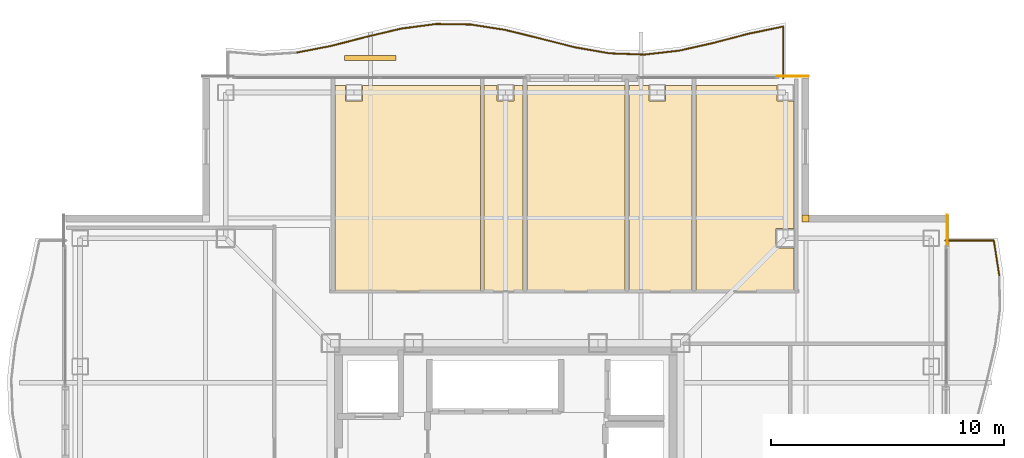
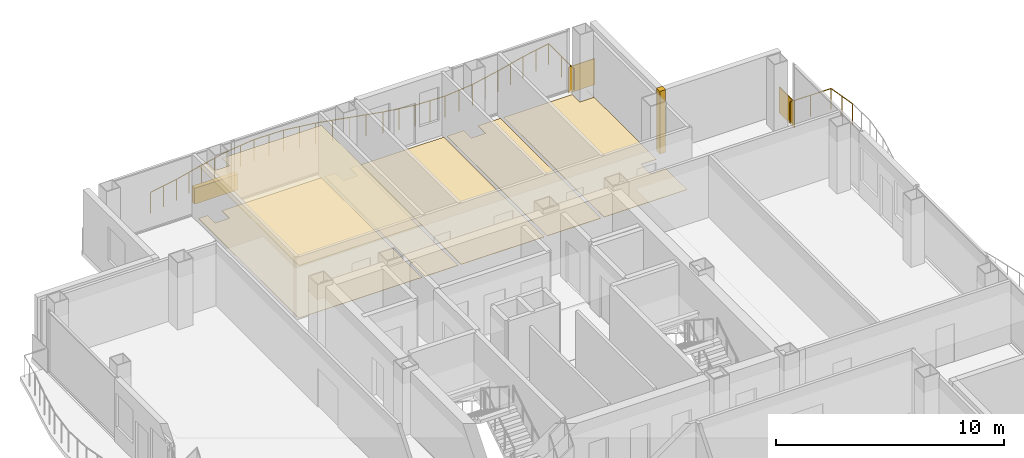
# One storey, part 17 of 17: 17 railings, 9 coverings, 1 shading device.
"""IFC4 building model written with IfcOpenShell, lengths in metres."""

import ifcopenshell
import ifcopenshell.guid

model = None  # the IFC model being written
_history = None  # IfcOwnerHistory: only IFC2X3 demands one
_inside = {}  # id of a spatial element -> (the spatial element, [elements in it])
_under = {}  # id of a project, library or spatial element -> (it, [spatial elements below it])
_declared = {}  # id of a project -> (the project, [libraries it declares])
_typed = {}  # id of a type object -> (the type object, [elements of that type])
_made_of = {}  # id of a material, layer set ... -> (it, [elements and type objects made of it])


def new_model(schema):
    """Start an empty IFC model of exactly this schema.

    Asked for "IFC4X3", IfcOpenShell would pick the latest addendum, in which some entities
    have other attributes; the version numbers below select the first issue.
    IFC2X3 requires an IfcOwnerHistory on every rooted entity: one is made here for all.
    """
    global model, _history
    if schema == "IFC4X3":
        model = ifcopenshell.file(schema_version=(4, 3, 0, 0))
    else:
        model = ifcopenshell.file(schema=schema)
    _inside.clear()
    _under.clear()
    _declared.clear()
    _typed.clear()
    _made_of.clear()
    _history = None
    if model.schema == "IFC2X3":
        org = make("IfcOrganization", Name="unknown")
        user = make(
            "IfcPersonAndOrganization",
            ThePerson=make("IfcPerson", FamilyName="unknown"),
            TheOrganization=org,
        )
        app = make(
            "IfcApplication",
            ApplicationDeveloper=org,
            Version="unknown",
            ApplicationFullName="unknown",
            ApplicationIdentifier="unknown",
        )
        _history = make(
            "IfcOwnerHistory",
            OwningUser=user,
            OwningApplication=app,
            ChangeAction="ADDED",
            CreationDate=0,
        )
    return model


def make(cls, **values):
    """One entity of the class cls with the attributes given. An attribute that is None is left unset."""
    return model.create_entity(
        cls, **{name: value for name, value in values.items() if value is not None}
    )


def rooted(cls, **values):
    """An entity with a GlobalId (a new one), such as an element, a storey or a relation."""
    return make(cls, GlobalId=ifcopenshell.guid.new(), OwnerHistory=_history, **values)


def si_unit(unit_type, name, prefix=None):
    """IfcSIUnit, for example si_unit("LENGTHUNIT", "METRE", prefix="MILLI")."""
    return make("IfcSIUnit", UnitType=unit_type, Prefix=prefix, Name=name)


def assignment(units):
    """IfcUnitAssignment: the units of a project."""
    return None if units is None else make("IfcUnitAssignment", Units=units)


def point(xyz):
    """IfcCartesianPoint."""
    return None if xyz is None else make("IfcCartesianPoint", Coordinates=xyz)


def direction(xyz):
    """IfcDirection."""
    return None if xyz is None else make("IfcDirection", DirectionRatios=xyz)


def frame(location, z_axis=None, x_axis=None):
    """IfcAxis2Placement3D, a coordinate frame: its origin and axes. An axis left out is left unset."""
    return make(
        "IfcAxis2Placement3D",
        Location=point(location),
        Axis=direction(z_axis),
        RefDirection=direction(x_axis),
    )


def frame_2d(location, x_axis=None):
    """IfcAxis2Placement2D, a coordinate frame in the plane: its origin and x axis."""
    return make(
        "IfcAxis2Placement2D", Location=point(location), RefDirection=direction(x_axis)
    )


def origin():
    """The frame at (0, 0, 0) with its axes left unset."""
    return frame((0.0, 0.0, 0.0))


def origin_2d():
    """The frame at (0, 0) in the plane with its x axis left unset."""
    return frame_2d((0.0, 0.0))


def place(relative_to, where):
    """IfcLocalPlacement: puts the frame where relative to a parent placement (None: the world)."""
    return make(
        "IfcLocalPlacement", PlacementRelTo=relative_to, RelativePlacement=where
    )


def context(
    kind, dimensions, precision=None, world=None, true_north=None, identifier=None
):
    """IfcGeometricRepresentationContext, for example the 3D "Model" context."""
    return make(
        "IfcGeometricRepresentationContext",
        ContextIdentifier=identifier,
        ContextType=kind,
        CoordinateSpaceDimension=dimensions,
        Precision=precision,
        WorldCoordinateSystem=world,
        TrueNorth=true_north,
    )


def subcontext(parent, identifier, kind, view, scale=None):
    """IfcGeometricRepresentationSubContext, for example "Body" below "Model"."""
    return make(
        "IfcGeometricRepresentationSubContext",
        ContextIdentifier=identifier,
        ContextType=kind,
        ParentContext=parent,
        TargetScale=scale,
        TargetView=view,
    )


def project(units=None, contexts=None):
    """IfcProject with its units and contexts."""
    return rooted(
        "IfcProject",
        Name="project",
        RepresentationContexts=contexts,
        UnitsInContext=assignment(units),
    )


def spatial(cls, under=None, at=None, **own):
    """A site, building, storey or space (cls), placed at a placement, below another one or the project."""
    s = rooted(cls, ObjectPlacement=at, **own)
    if under is not None:
        _under.setdefault(under.id(), (under, []))[1].append(s)
    return s


def polyline(points):
    """IfcPolyline through the points."""
    return make("IfcPolyline", Points=[point(p) for p in points])


def profile(cls, at=None, kind="AREA", **sizes):
    """A parametric profile (cls). Its sizes go by their IFC names, for example OverallWidth=200.0."""
    return make(cls, ProfileType=kind, Position=at, **sizes)


def rectangle(**sizes):
    """IfcRectangleProfileDef."""
    return profile("IfcRectangleProfileDef", **sizes)


def circle(**sizes):
    """IfcCircleProfileDef."""
    return profile("IfcCircleProfileDef", **sizes)


def outline(outer, holes=None, kind="AREA"):
    """IfcArbitraryClosedProfileDef: a profile drawn as a closed curve; with holes, ...WithVoids."""
    if holes is None:
        return make("IfcArbitraryClosedProfileDef", ProfileType=kind, OuterCurve=outer)
    return make(
        "IfcArbitraryProfileDefWithVoids",
        ProfileType=kind,
        OuterCurve=outer,
        InnerCurves=holes,
    )


def extrude(swept, where, along, depth):
    """IfcExtrudedAreaSolid: the profile swept, set in the frame where, extruded along a direction by depth."""
    return make(
        "IfcExtrudedAreaSolid",
        SweptArea=swept,
        Position=where,
        ExtrudedDirection=direction(along),
        Depth=depth,
    )


def shape(context_of_items, identifier, shape_type, items):
    """IfcShapeRepresentation: the items that make up one representation, for example the "Body"."""
    return make(
        "IfcShapeRepresentation",
        ContextOfItems=context_of_items,
        RepresentationIdentifier=identifier,
        RepresentationType=shape_type,
        Items=items,
    )


def material(Name=None, Category=None):
    """IfcMaterial."""
    return make("IfcMaterial", Name=Name, Category=Category)


def layer(
    of_material, thickness, ventilated=None, Name=None, Category=None, Priority=None
):
    """IfcMaterialLayer: one layer of a wall or slab, of a material (None: an air gap)."""
    return make(
        "IfcMaterialLayer",
        Material=of_material,
        LayerThickness=thickness,
        IsVentilated=ventilated,
        Name=Name,
        Category=Category,
        Priority=Priority,
    )


def layer_set(layers, Name=None):
    """IfcMaterialLayerSet."""
    return make("IfcMaterialLayerSet", MaterialLayers=layers, LayerSetName=Name)


def made_of(thing, what):
    """Note that an element or type object is made of a material, layer set ...; save() writes the relation."""
    if what is not None:
        _made_of.setdefault(what.id(), (what, []))[1].append(thing)
    return thing


def type_object(cls, material=None, **own):
    """A type object (cls), such as IfcWallType, which elements share."""
    return made_of(rooted(cls, **own), material)


def element(
    cls,
    number,
    at=None,
    inside=None,
    cuts=None,
    type_object=None,
    material=None,
    context=None,
    identifier="Body",
    shape_type=None,
    held_by="IfcProductDefinitionShape",
    body=None,
    shapes=None,
    **own,
):
    """One element of the class cls, such as IfcWall. Its Tag is "e" and its number.

    at: its placement. inside: the storey or other place that contains it. cuts: it is an
    opening in that element (IfcRelVoidsElement). A single representation is given by context,
    identifier, shape_type and body (its items); several are given by shapes. held_by: the class
    of the entity that holds the representations. save() writes the other relations.
    """
    e = rooted(cls, Tag="e%d" % number, ObjectPlacement=at, **own)
    if body is not None:
        shapes = [shape(context, identifier, shape_type, body)]
    if shapes is not None:
        e.Representation = make(held_by, Representations=shapes)
    if inside is not None:
        _inside.setdefault(inside.id(), (inside, []))[1].append(e)
    if cuts is not None:
        rooted(
            "IfcRelVoidsElement", RelatingBuildingElement=cuts, RelatedOpeningElement=e
        )
    if type_object is not None:
        _typed.setdefault(type_object.id(), (type_object, []))[1].append(e)
    return made_of(e, material)


def aggregate(whole, parts):
    """IfcRelAggregates: a whole, such as a stair, and the parts it consists of."""
    return rooted("IfcRelAggregates", RelatingObject=whole, RelatedObjects=parts)


def save(model, path):
    """Write the relations noted so far, then the file.

    IfcRelAggregates (storeys below a building ...), IfcRelContainedInSpatialStructure (elements
    in a storey), IfcRelDefinesByType, IfcRelAssociatesMaterial and IfcRelDeclares: one each for
    every whole, place, type object, material and project.
    """
    for whole, parts in _under.values():
        aggregate(whole, parts)
    for where, things in _inside.values():
        rooted(
            "IfcRelContainedInSpatialStructure",
            RelatedElements=things,
            RelatingStructure=where,
        )
    for kind, things in _typed.values():
        rooted("IfcRelDefinesByType", RelatedObjects=things, RelatingType=kind)
    for what, things in _made_of.values():
        rooted("IfcRelAssociatesMaterial", RelatedObjects=things, RelatingMaterial=what)
    for by, libraries in _declared.values():
        rooted("IfcRelDeclares", RelatingContext=by, RelatedDefinitions=libraries)
    model.write(path)


model = new_model("IFC4")

# Units and contexts
model_context = context("Model", 3, precision=1e-05, world=origin(), true_north=direction((0.0, 1.0)))
body_context = subcontext(model_context, "Body", "Model", "MODEL_VIEW")
ifc_project = project(units=[si_unit("LENGTHUNIT", "METRE"), si_unit("AREAUNIT", "SQUARE_METRE"), si_unit("VOLUMEUNIT", "CUBIC_METRE"), si_unit("PLANEANGLEUNIT", "RADIAN"), si_unit("MASSUNIT", "GRAM", prefix="KILO")], contexts=[model_context])

# Site, building, storey
site_placement = place(None, origin())
site = spatial("IfcSite", under=ifc_project, at=site_placement, CompositionType="ELEMENT")
building_placement = place(site_placement, origin())
building = spatial("IfcBuilding", under=site, at=building_placement, Name="Trevonay Congress Spire", CompositionType="ELEMENT")
storey_placement = place(building_placement, frame((0.0, 0.0, 264.800048828125)))
storey = spatial("IfcBuildingStorey", under=building, at=storey_placement, Name="L69", CompositionType="ELEMENT", Elevation=264.800048828125)

# Coverings
ifc_material_1 = material(Name="Acoustic Mineral Fibre Board", Category="gypsum")
ifc_layer_1 = layer(ifc_material_1, 0.02490234375, Name="Acoustic Mineral Fibre Board")
ifc_layer_set_1 = layer_set([ifc_layer_1], Name="Acoustic Mineral Fibre Board")
covering_type_1 = type_object("IfcCoveringType", Name="COV-CEIL-ACOUSTIC", PredefinedType="CEILING", material=ifc_layer_set_1)
covering_1_placement = place(storey_placement, frame((0.0, 0.0, 2.81005859375)))
element("IfcCovering", 1, at=covering_1_placement, inside=storey, type_object=covering_type_1, Name="L69 North Sky Conservatory Lounge acoustic suspended ceiling", PredefinedType="CEILING", context=body_context, shape_type="SweptSolid", body=[
    extrude(outline(polyline([(-1.080078125, 18.550048828125), (-1.080078125, 9.72998046875), (-7.320068359375, 9.72998046875), (-7.320068359375, 18.550048828125), (-6.860107421875, 18.550048828125), (-6.860107421875, 17.889892578125), (-6.139892578125, 17.889892578125), (-6.139892578125, 18.550048828125), (-1.080078125, 18.550048828125)])), origin(), (0.0, 0.0, 1.0), 0.02490234375),
])
ifc_material_2 = material(Name="Polished Granite Floor Tile", Category="masonry")
ifc_layer_2 = layer(ifc_material_2, 0.02001953125, Name="Polished Granite Floor Tile")
ifc_layer_set_2 = layer_set([ifc_layer_2], Name="Polished Granite Floor Tile")
covering_type_2 = type_object("IfcCoveringType", Name="COV-FLOOR-STONE", PredefinedType="FLOORING", material=ifc_layer_set_2)
covering_2_placement = place(storey_placement, origin())
element("IfcCovering", 2, at=covering_2_placement, inside=storey, type_object=covering_type_2, Name="L69 Accessible WC floor finish", PredefinedType="FLOORING", context=body_context, shape_type="SweptSolid", body=[
    extrude(outline(polyline([(0.75, 18.550048828125), (0.75, 9.72998046875), (-0.919921875, 9.72998046875), (-0.919921875, 18.550048828125), (-0.360107421875, 18.550048828125), (-0.360107421875, 17.889892578125), (0.360107421875, 17.889892578125), (0.360107421875, 18.550048828125), (0.75, 18.550048828125)])), origin(), (0.0, 0.0, 1.0), 0.02001953125),
])
covering_3_placement = place(storey_placement, origin())
element("IfcCovering", 3, at=covering_3_placement, inside=storey, type_object=covering_type_2, Name="L69 Floor Supplies and Copy Room floor finish", PredefinedType="FLOORING", context=body_context, shape_type="SweptSolid", body=[
    extrude(outline(polyline([(0.909912109375, 9.72998046875), (5.1201171875, 9.72998046875), (5.1201171875, 18.550048828125), (0.909912109375, 18.550048828125), (0.909912109375, 9.72998046875)])), origin(), (0.0, 0.0, 1.0), 0.02001953125),
])
covering_4_placement = place(storey_placement, origin())
element("IfcCovering", 4, at=covering_4_placement, inside=storey, type_object=covering_type_2, Name="L69 Female Restroom WC floor finish", PredefinedType="FLOORING", context=body_context, shape_type="SweptSolid", body=[
    extrude(outline(polyline([(8.0, 18.550048828125), (8.0, 9.72998046875), (5.280029296875, 9.72998046875), (5.280029296875, 18.550048828125), (6.139892578125, 18.550048828125), (6.139892578125, 17.889892578125), (6.860107421875, 17.889892578125), (6.860107421875, 18.550048828125), (8.0, 18.550048828125)])), origin(), (0.0, 0.0, 1.0), 0.02001953125),
])
covering_5_placement = place(storey_placement, origin())
element("IfcCovering", 5, at=covering_5_placement, inside=storey, type_object=covering_type_2, Name="L69 Floor Supplies and Copy Room floor finish", PredefinedType="FLOORING", context=body_context, shape_type="SweptSolid", body=[
    extrude(outline(polyline([(12.3701171875, 9.72998046875), (8.159912109375, 9.72998046875), (8.159912109375, 18.550048828125), (11.639892578125, 18.550048828125), (11.639892578125, 17.889892578125), (12.360107421875, 17.889892578125), (12.360107421875, 18.550048828125), (12.3701171875, 18.550048828125), (12.3701171875, 12.409912109375), (11.590087890625, 12.409912109375), (11.590087890625, 11.590087890625), (12.3701171875, 11.590087890625), (12.3701171875, 9.72998046875)])), origin(), (0.0, 0.0, 1.0), 0.02001953125),
])
ifc_material_3 = material(Name="Engineered Oak Flooring", Category="wood")
ifc_layer_3 = layer(ifc_material_3, 0.01806640625, Name="Engineered Oak Flooring")
ifc_layer_set_3 = layer_set([ifc_layer_3], Name="Engineered Oak Flooring")
covering_type_3 = type_object("IfcCoveringType", Name="COV-FLOOR-TIMBER", PredefinedType="FLOORING", material=ifc_layer_set_3)
covering_6_placement = place(storey_placement, origin())
element("IfcCovering", 6, at=covering_6_placement, inside=storey, type_object=covering_type_3, Name="L69 North Sky Conservatory Lounge floor finish", PredefinedType="FLOORING", context=body_context, shape_type="SweptSolid", body=[
    extrude(outline(polyline([(-1.080078125, 18.550048828125), (-1.080078125, 9.72998046875), (-7.320068359375, 9.72998046875), (-7.320068359375, 18.550048828125), (-6.860107421875, 18.550048828125), (-6.860107421875, 17.889892578125), (-6.139892578125, 17.889892578125), (-6.139892578125, 18.550048828125), (-1.080078125, 18.550048828125)])), origin(), (0.0, 0.0, 1.0), 0.01806640625),
])
ifc_material_4 = material(Name="Pale Anodised Aluminium EN AW-6063-T6", Category="aluminium")
ifc_layer_4 = layer(ifc_material_4, 0.0400390625, Name="Pale Anodised Aluminium EN AW-6063-T6")
ifc_layer_set_4 = layer_set([ifc_layer_4], Name="Pale Anodised Aluminium EN AW-6063-T6")
covering_type_4 = type_object("IfcCoveringType", Name="COV-SPANDREL-PALE-METAL", PredefinedType="CLADDING", material=ifc_layer_set_4)
covering_7_placement = place(storey_placement, origin())
element("IfcCovering", 7, at=covering_7_placement, inside=storey, type_object=covering_type_4, Name="L69 NE re-entrant notch corner closure trim", PredefinedType="CLADDING", context=body_context, shape_type="SweptSolid", body=[
    extrude(outline(polyline([(12.699951171875, 12.699951171875), (13.0, 12.699951171875), (13.0, 13.0), (12.699951171875, 13.0), (12.699951171875, 12.699951171875)])), origin(), (0.0, 0.0, 1.0), 3.35986328125),
])
for number, where, z_axis, x_axis, name in (
    (8, (18.93994140625, 11.64990234375, -0.150146484375), (0.0, 0.0, 1.0), (0.0, 1.0, 0.0), "L69 NE corner pier spandrel cladding 1"),
    (9, (11.64990234375, 18.93994140625, -0.150146484375), (0.0, 0.0, 1.0), (1.0, 0.0, 0.0), "L69 NE corner pier spandrel cladding 2"),
):
    element("IfcCovering", number, at=place(storey_placement, frame(where, z_axis=z_axis, x_axis=x_axis)), inside=storey, type_object=covering_type_4, Name=name, PredefinedType="CLADDING", context=body_context, shape_type="SweptSolid", body=[
        extrude(rectangle(XDim=1.35009765625, YDim=0.0400390625, at=frame_2d((0.675048828125, 0.0))), origin(), (0.0, 0.0, 1.0), 1.400146484375),
    ])

# Railings
railing_type = type_object("IfcRailingType", Name="RAL-EXT-GUARD-115", PredefinedType="GUARDRAIL", material=ifc_material_4)
railing_1_placement = place(storey_placement, frame((11.904052734375, 18.847900390625, 0.0)))
element("IfcRailing", 10, at=railing_1_placement, inside=storey, type_object=railing_type, Name="L69 perimeter safety guard GRD-L69-WAV-N-17", PredefinedType="GUARDRAIL", context=body_context, shape_type="SweptSolid", body=[
    extrude(circle(Radius=0.02392578125, at=origin_2d()), frame((0.0, 0.0, 1.1259765625), z_axis=(0.0, 1.0, 0.0), x_axis=(-1.0, 0.0, 0.0)), (0.0, 0.0, 1.0), 2.22802734375),
    extrude(circle(Radius=0.02099609375, at=origin_2d()), origin(), (0.0, 0.0, 1.0), 1.101806640625),
    extrude(circle(Radius=0.02099609375, at=origin_2d()), frame((0.0, 1.114013671875, 0.0)), (0.0, 0.0, 1.0), 1.101806640625),
    extrude(circle(Radius=0.02099609375, at=origin_2d()), frame((0.0, 2.22802734375, 0.0)), (0.0, 0.0, 1.0), 1.101806640625),
])
railing_2_placement = place(storey_placement, frame((11.904052734375, 21.075927734375, 0.0)))
element("IfcRailing", 11, at=railing_2_placement, inside=storey, type_object=railing_type, Name="L69 perimeter safety guard GRD-L69-WAV-N-18", PredefinedType="GUARDRAIL", context=body_context, shape_type="SweptSolid", body=[
    extrude(circle(Radius=0.02392578125, at=origin_2d()), frame((0.0, 0.0, 1.1259765625), z_axis=(-0.979133837467, -0.203216456833, 0.0), x_axis=(0.203216456833, -0.979133837467, 0.0)), (0.0, 0.0, 1.0), 1.519775390625),
    extrude(circle(Radius=0.02099609375, at=origin_2d()), origin(), (0.0, 0.0, 1.0), 1.101806640625),
    extrude(circle(Radius=0.02099609375, at=origin_2d()), frame((-0.744140625, -0.154296875, 0.0)), (0.0, 0.0, 1.0), 1.101806640625),
    extrude(circle(Radius=0.02099609375, at=origin_2d()), frame((-1.488037109375, -0.308837890625, 0.0)), (0.0, 0.0, 1.0), 1.101806640625),
])
railing_3_placement = place(storey_placement, frame((10.416015625, 20.76708984375, 0.0)))
element("IfcRailing", 12, at=railing_3_placement, inside=storey, type_object=railing_type, Name="L69 perimeter safety guard GRD-L69-WAV-N-19", PredefinedType="GUARDRAIL", context=body_context, shape_type="SweptSolid", body=[
    extrude(circle(Radius=0.02392578125, at=origin_2d()), frame((0.0, 0.0, 1.1259765625), z_axis=(-0.967462011556, -0.253016316066, 0.0), x_axis=(0.253016316066, -0.967462011556, 0.0)), (0.0, 0.0, 1.0), 1.5380859375),
    extrude(circle(Radius=0.02099609375, at=origin_2d()), origin(), (0.0, 0.0, 1.0), 1.101806640625),
    extrude(circle(Radius=0.02099609375, at=origin_2d()), frame((-0.744140625, -0.194580078125, 0.0)), (0.0, 0.0, 1.0), 1.101806640625),
    extrude(circle(Radius=0.02099609375, at=origin_2d()), frame((-1.488037109375, -0.38916015625, 0.0)), (0.0, 0.0, 1.0), 1.101806640625),
])
railing_4_placement = place(storey_placement, frame((8.927978515625, 20.3779296875, 0.0)))
element("IfcRailing", 13, at=railing_4_placement, inside=storey, type_object=railing_type, Name="L69 perimeter safety guard GRD-L69-WAV-N-20", PredefinedType="GUARDRAIL", context=body_context, shape_type="SweptSolid", body=[
    extrude(circle(Radius=0.02392578125, at=origin_2d()), frame((0.0, 0.0, 1.1259765625), z_axis=(-0.975450983832, -0.220216661814, 0.0), x_axis=(0.220216661814, -0.975450983832, 0.0)), (0.0, 0.0, 1.0), 1.525390625),
    extrude(circle(Radius=0.02099609375, at=origin_2d()), origin(), (0.0, 0.0, 1.0), 1.101806640625),
    extrude(circle(Radius=0.02099609375, at=origin_2d()), frame((-0.744140625, -0.16796875, 0.0)), (0.0, 0.0, 1.0), 1.101806640625),
    extrude(circle(Radius=0.02099609375, at=origin_2d()), frame((-1.488037109375, -0.3359375, 0.0)), (0.0, 0.0, 1.0), 1.101806640625),
])
railing_5_placement = place(storey_placement, frame((7.43994140625, 20.0419921875, 0.0)))
element("IfcRailing", 14, at=railing_5_placement, inside=storey, type_object=railing_type, Name="L69 perimeter safety guard GRD-L69-WAV-N-21", PredefinedType="GUARDRAIL", context=body_context, shape_type="SweptSolid", body=[
    extrude(circle(Radius=0.02392578125, at=origin_2d()), frame((0.0, 0.0, 1.1259765625), z_axis=(-0.993616472682, -0.112810926841, 0.0), x_axis=(0.112810926841, -0.993616472682, 0.0)), (0.0, 0.0, 1.0), 1.49755859375),
    extrude(circle(Radius=0.02099609375, at=origin_2d()), origin(), (0.0, 0.0, 1.0), 1.101806640625),
    extrude(circle(Radius=0.02099609375, at=origin_2d()), frame((-0.744140625, -0.08447265625, 0.0)), (0.0, 0.0, 1.0), 1.101806640625),
    extrude(circle(Radius=0.02099609375, at=origin_2d()), frame((-1.488037109375, -0.1689453125, 0.0)), (0.0, 0.0, 1.0), 1.101806640625),
])
railing_6_placement = place(storey_placement, frame((5.951904296875, 19.873046875, 0.0)))
element("IfcRailing", 15, at=railing_6_placement, inside=storey, type_object=railing_type, Name="L69 perimeter safety guard GRD-L69-WAV-N-22", PredefinedType="GUARDRAIL", context=body_context, shape_type="SweptSolid", body=[
    extrude(circle(Radius=0.02392578125, at=origin_2d()), frame((0.0, 0.0, 1.1259765625), z_axis=(-0.999366609125, 0.03558624125, 0.0), x_axis=(-0.03558624125, -0.999366609125, 0.0)), (0.0, 0.0, 1.0), 1.48876953125),
    extrude(circle(Radius=0.02099609375, at=origin_2d()), origin(), (0.0, 0.0, 1.0), 1.101806640625),
    extrude(circle(Radius=0.02099609375, at=origin_2d()), frame((-0.743896484375, 0.0263671875, 0.0)), (0.0, 0.0, 1.0), 1.101806640625),
    extrude(circle(Radius=0.02099609375, at=origin_2d()), frame((-1.48779296875, 0.052978515625, 0.0)), (0.0, 0.0, 1.0), 1.101806640625),
])
railing_7_placement = place(storey_placement, frame((4.464111328125, 19.926025390625, 0.0)))
element("IfcRailing", 16, at=railing_7_placement, inside=storey, type_object=railing_type, Name="L69 perimeter safety guard GRD-L69-WAV-N-23", PredefinedType="GUARDRAIL", context=body_context, shape_type="SweptSolid", body=[
    extrude(circle(Radius=0.02392578125, at=origin_2d()), frame((0.0, 0.0, 1.1259765625), z_axis=(-0.985293508536, 0.170870424696, 0.0), x_axis=(-0.170870424696, -0.985293508536, 0.0)), (0.0, 0.0, 1.0), 1.51025390625),
    extrude(circle(Radius=0.02099609375, at=origin_2d()), origin(), (0.0, 0.0, 1.0), 1.101806640625),
    extrude(circle(Radius=0.02099609375, at=origin_2d()), frame((-0.744140625, 0.12890625, 0.0)), (0.0, 0.0, 1.0), 1.101806640625),
    extrude(circle(Radius=0.02099609375, at=origin_2d()), frame((-1.488037109375, 0.258056640625, 0.0)), (0.0, 0.0, 1.0), 1.101806640625),
])
railing_8_placement = place(storey_placement, frame((2.97607421875, 20.18408203125, 0.0)))
element("IfcRailing", 17, at=railing_8_placement, inside=storey, type_object=railing_type, Name="L69 perimeter safety guard GRD-L69-WAV-N-24", PredefinedType="GUARDRAIL", context=body_context, shape_type="SweptSolid", body=[
    extrude(circle(Radius=0.02392578125, at=origin_2d()), frame((0.0, 0.0, 1.1259765625), z_axis=(-0.969379961434, 0.245565653889, 0.0), x_axis=(-0.245565653889, -0.969379961434, 0.0)), (0.0, 0.0, 1.0), 1.53515625),
    extrude(circle(Radius=0.02099609375, at=origin_2d()), origin(), (0.0, 0.0, 1.0), 1.101806640625),
    extrude(circle(Radius=0.02099609375, at=origin_2d()), frame((-0.744140625, 0.1884765625, 0.0)), (0.0, 0.0, 1.0), 1.101806640625),
    extrude(circle(Radius=0.02099609375, at=origin_2d()), frame((-1.488037109375, 0.376953125, 0.0)), (0.0, 0.0, 1.0), 1.101806640625),
])
railing_9_placement = place(storey_placement, frame((1.488037109375, 20.56103515625, 0.0)))
element("IfcRailing", 18, at=railing_9_placement, inside=storey, type_object=railing_type, Name="L69 perimeter safety guard GRD-L69-WAV-N-25", PredefinedType="GUARDRAIL", context=body_context, shape_type="SweptSolid", body=[
    extrude(circle(Radius=0.02392578125, at=origin_2d()), frame((0.0, 0.0, 1.1259765625), z_axis=(-0.970915256324, 0.23942340119, 0.0), x_axis=(-0.23942340119, -0.970915256324, 0.0)), (0.0, 0.0, 1.0), 1.53271484375),
    extrude(circle(Radius=0.02099609375, at=origin_2d()), origin(), (0.0, 0.0, 1.0), 1.101806640625),
    extrude(circle(Radius=0.02099609375, at=origin_2d()), frame((-0.744140625, 0.18359375, 0.0)), (0.0, 0.0, 1.0), 1.101806640625),
    extrude(circle(Radius=0.02099609375, at=origin_2d()), frame((-1.488037109375, 0.366943359375, 0.0)), (0.0, 0.0, 1.0), 1.101806640625),
])
railing_10_placement = place(storey_placement, frame((0.0, 20.927978515625, 0.0)))
element("IfcRailing", 19, at=railing_10_placement, inside=storey, type_object=railing_type, Name="L69 perimeter safety guard GRD-L69-WAV-N-26", PredefinedType="GUARDRAIL", context=body_context, shape_type="SweptSolid", body=[
    extrude(circle(Radius=0.02392578125, at=origin_2d()), frame((0.0, 0.0, 1.1259765625), z_axis=(-0.987846925477, 0.155429893607, 0.0), x_axis=(-0.155429893607, -0.987846925477, 0.0)), (0.0, 0.0, 1.0), 1.50634765625),
    extrude(circle(Radius=0.02099609375, at=origin_2d()), origin(), (0.0, 0.0, 1.0), 1.101806640625),
    extrude(circle(Radius=0.02099609375, at=origin_2d()), frame((-0.744140625, 0.1171875, 0.0)), (0.0, 0.0, 1.0), 1.101806640625),
    extrude(circle(Radius=0.02099609375, at=origin_2d()), frame((-1.488037109375, 0.234130859375, 0.0)), (0.0, 0.0, 1.0), 1.101806640625),
])
railing_11_placement = place(storey_placement, frame((-1.488037109375, 21.162109375, 0.0)))
element("IfcRailing", 20, at=railing_11_placement, inside=storey, type_object=railing_type, Name="L69 perimeter safety guard GRD-L69-WAV-N-27", PredefinedType="GUARDRAIL", context=body_context, shape_type="SweptSolid", body=[
    extrude(circle(Radius=0.02392578125, at=origin_2d()), frame((0.0, 0.0, 1.1259765625), z_axis=(-0.999881094806, 0.015420643628, 0.0), x_axis=(-0.015420643628, -0.999881094806, 0.0)), (0.0, 0.0, 1.0), 1.48828125),
    extrude(circle(Radius=0.02099609375, at=origin_2d()), origin(), (0.0, 0.0, 1.0), 1.101806640625),
    extrude(circle(Radius=0.02099609375, at=origin_2d()), frame((-0.744140625, 0.011474609375, 0.0)), (0.0, 0.0, 1.0), 1.101806640625),
    extrude(circle(Radius=0.02099609375, at=origin_2d()), frame((-1.488037109375, 0.02294921875, 0.0)), (0.0, 0.0, 1.0), 1.101806640625),
])
railing_12_placement = place(storey_placement, frame((-2.97607421875, 21.18505859375, 0.0)))
element("IfcRailing", 21, at=railing_12_placement, inside=storey, type_object=railing_type, Name="L69 perimeter safety guard GRD-L69-WAV-N-28", PredefinedType="GUARDRAIL", context=body_context, shape_type="SweptSolid", body=[
    extrude(circle(Radius=0.02392578125, at=origin_2d()), frame((0.0, 0.0, 1.1259765625), z_axis=(-0.991432689491, -0.130618613562, 0.0), x_axis=(0.130618613562, -0.991432689491, 0.0)), (0.0, 0.0, 1.0), 1.5009765625),
    extrude(circle(Radius=0.02099609375, at=origin_2d()), origin(), (0.0, 0.0, 1.0), 1.101806640625),
    extrude(circle(Radius=0.02099609375, at=origin_2d()), frame((-0.744140625, -0.09814453125, 0.0)), (0.0, 0.0, 1.0), 1.101806640625),
    extrude(circle(Radius=0.02099609375, at=origin_2d()), frame((-1.488037109375, -0.196044921875, 0.0)), (0.0, 0.0, 1.0), 1.101806640625),
])
railing_13_placement = place(storey_placement, frame((-4.464111328125, 20.989013671875, 0.0)))
element("IfcRailing", 22, at=railing_13_placement, inside=storey, type_object=railing_type, Name="L69 perimeter safety guard GRD-L69-WAV-N-29", PredefinedType="GUARDRAIL", context=body_context, shape_type="SweptSolid", body=[
    extrude(circle(Radius=0.02392578125, at=origin_2d()), frame((0.0, 0.0, 1.1259765625), z_axis=(-0.973555271842, -0.228451598086, 0.0), x_axis=(0.228451598086, -0.973555271842, 0.0)), (0.0, 0.0, 1.0), 1.5283203125),
    extrude(circle(Radius=0.02099609375, at=origin_2d()), origin(), (0.0, 0.0, 1.0), 1.101806640625),
    extrude(circle(Radius=0.02099609375, at=origin_2d()), frame((-0.743896484375, -0.174560546875, 0.0)), (0.0, 0.0, 1.0), 1.101806640625),
    extrude(circle(Radius=0.02099609375, at=origin_2d()), frame((-1.48779296875, -0.34912109375, 0.0)), (0.0, 0.0, 1.0), 1.101806640625),
])
railing_14_placement = place(storey_placement, frame((-5.951904296875, 20.639892578125, 0.0)))
element("IfcRailing", 23, at=railing_14_placement, inside=storey, type_object=railing_type, Name="L69 perimeter safety guard GRD-L69-WAV-N-30", PredefinedType="GUARDRAIL", context=body_context, shape_type="SweptSolid", body=[
    extrude(circle(Radius=0.02392578125, at=origin_2d()), frame((0.0, 0.0, 1.1259765625), z_axis=(-0.967965454572, -0.251083409955, 0.0), x_axis=(0.251083409955, -0.967965454572, 0.0)), (0.0, 0.0, 1.0), 1.537353515625),
    extrude(circle(Radius=0.02099609375, at=origin_2d()), origin(), (0.0, 0.0, 1.0), 1.101806640625),
    extrude(circle(Radius=0.02099609375, at=origin_2d()), frame((-0.744140625, -0.19287109375, 0.0)), (0.0, 0.0, 1.0), 1.101806640625),
    extrude(circle(Radius=0.02099609375, at=origin_2d()), frame((-1.488037109375, -0.385986328125, 0.0)), (0.0, 0.0, 1.0), 1.101806640625),
])
railing_15_placement = place(storey_placement, frame((-7.43994140625, 20.25390625, 0.0)))
element("IfcRailing", 24, at=railing_15_placement, inside=storey, type_object=railing_type, Name="L69 perimeter safety guard GRD-L69-WAV-N-31", PredefinedType="GUARDRAIL", context=body_context, shape_type="SweptSolid", body=[
    extrude(circle(Radius=0.02392578125, at=origin_2d()), frame((0.0, 0.0, 1.1259765625), z_axis=(-0.981407822863, -0.191934064783, 0.0), x_axis=(0.191934064783, -0.981407822863, 0.0)), (0.0, 0.0, 1.0), 1.51611328125),
    extrude(circle(Radius=0.02099609375, at=origin_2d()), origin(), (0.0, 0.0, 1.0), 1.101806640625),
    extrude(circle(Radius=0.02099609375, at=origin_2d()), frame((-0.744140625, -0.1455078125, 0.0)), (0.0, 0.0, 1.0), 1.101806640625),
    extrude(circle(Radius=0.02099609375, at=origin_2d()), frame((-1.488037109375, -0.291015625, 0.0)), (0.0, 0.0, 1.0), 1.101806640625),
])
railing_16_placement = place(storey_placement, frame((21.162109375, 10.416015625, 0.0)))
element("IfcRailing", 25, at=railing_16_placement, inside=storey, type_object=railing_type, Name="L69 perimeter safety guard GRD-L69-WAV-E-16", PredefinedType="GUARDRAIL", context=body_context, shape_type="SweptSolid", body=[
    extrude(circle(Radius=0.02392578125, at=origin_2d()), frame((0.0, 0.0, 1.1259765625), z_axis=(-0.155429893607, 0.987846925477, 0.0), x_axis=(-0.987846925477, -0.155429893607, 0.0)), (0.0, 0.0, 1.0), 1.50634765625),
    extrude(circle(Radius=0.02099609375, at=origin_2d()), origin(), (0.0, 0.0, 1.0), 1.101806640625),
    extrude(circle(Radius=0.02099609375, at=origin_2d()), frame((-0.1171875, 0.744140625, 0.0)), (0.0, 0.0, 1.0), 1.101806640625),
    extrude(circle(Radius=0.02099609375, at=origin_2d()), frame((-0.234130859375, 1.488037109375, 0.0)), (0.0, 0.0, 1.0), 1.101806640625),
])
railing_17_placement = place(storey_placement, frame((20.927978515625, 11.904052734375, 0.0)))
element("IfcRailing", 26, at=railing_17_placement, inside=storey, type_object=railing_type, Name="L69 perimeter safety guard GRD-L69-WAV-E-17", PredefinedType="GUARDRAIL", context=body_context, shape_type="SweptSolid", body=[
    extrude(circle(Radius=0.02392578125, at=origin_2d()), frame((0.0, 0.0, 1.1259765625), z_axis=(-1.0, 0.0, 0.0), x_axis=(0.0, -1.0, 0.0)), (0.0, 0.0, 1.0), 2.080078125),
    extrude(circle(Radius=0.02099609375, at=origin_2d()), origin(), (0.0, 0.0, 1.0), 1.101806640625),
    extrude(circle(Radius=0.02099609375, at=origin_2d()), frame((-1.0400390625, 0.0, 0.0)), (0.0, 0.0, 1.0), 1.101806640625),
    extrude(circle(Radius=0.02099609375, at=origin_2d()), frame((-2.080078125, 0.0, 0.0)), (0.0, 0.0, 1.0), 1.101806640625),
])

# Shading device
shading_device_type = type_object("IfcShadingDeviceType", Name="SHD-LOUVRE-WAVE-ALUM", PredefinedType="USERDEFINED", material=ifc_material_4)
shading_device_placement = place(storey_placement, frame((-5.800048828125, 19.719970703125, -0.01513671875), z_axis=(0.0, 0.0, 1.0), x_axis=(1.0, 0.0, 0.0)))
element("IfcShadingDevice", 27, at=shading_device_placement, inside=storey, type_object=shading_device_type, Name="L69 N sinusoidal balcony horizontal sunshade louvre", ObjectType="LOUVRE", PredefinedType="USERDEFINED", context=body_context, shape_type="SweptSolid", body=[
    extrude(rectangle(XDim=2.199951171875, YDim=0.219970703125, at=origin_2d()), origin(), (0.0, 0.0, 1.0), 0.85009765625),
])

save(model, "model.ifc")
